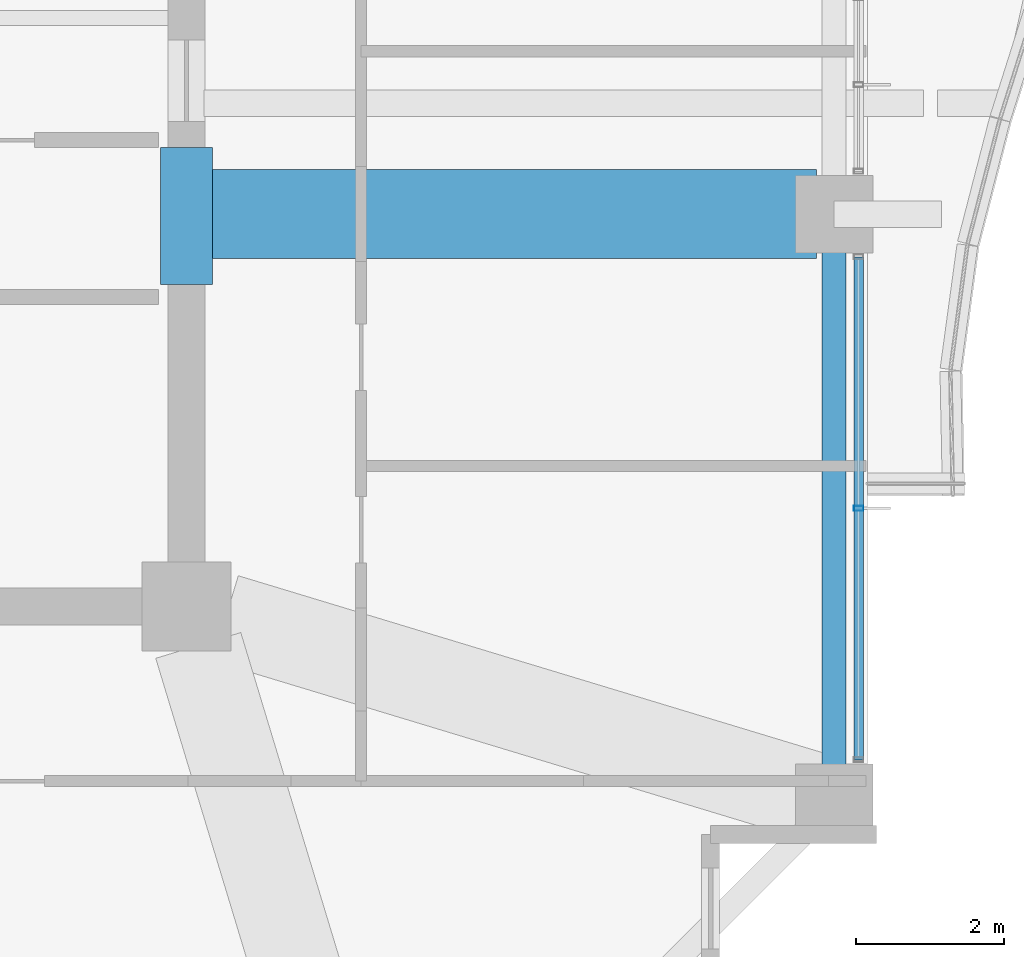
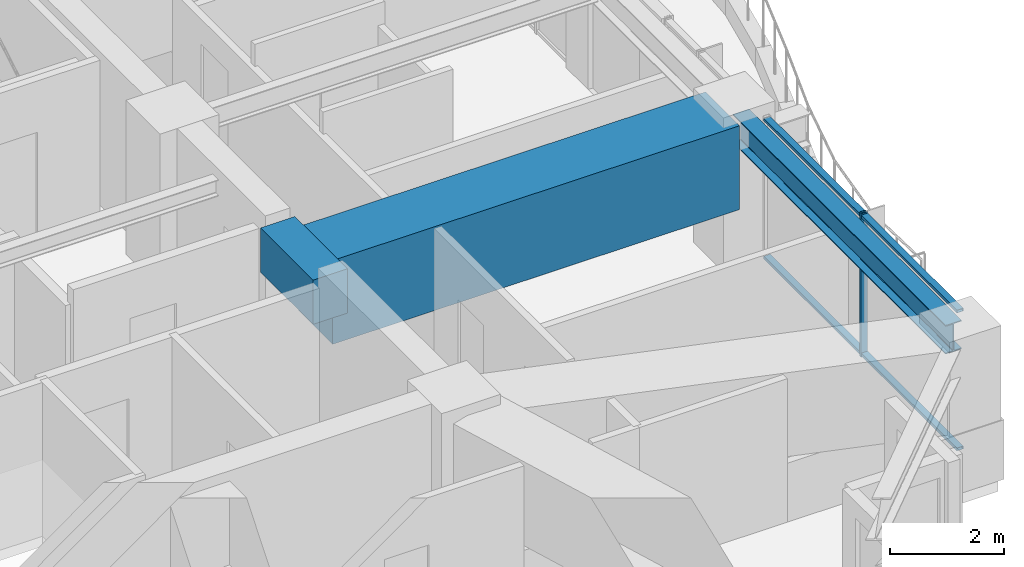
# One storey, part 15 of 36: 3 beams, 3 members, 1 element without a shape of its own.
"""IFC4 building model written with IfcOpenShell, lengths in metres."""

from ifc_helpers import new_model, si_unit, direction, frame, origin, origin_2d, place, context, subcontext, project, spatial, rectangle, hollow_rectangle, i_section, extrude, material, material_profile, profile_set, type_object, element, aggregate, save


model = new_model("IFC4")

# Units and contexts
model_context = context("Model", 3, precision=1e-05, world=origin(), true_north=direction((0.0, 1.0)))
body_context = subcontext(model_context, "Body", "Model", "MODEL_VIEW")
ifc_project = project(units=[si_unit("LENGTHUNIT", "METRE"), si_unit("AREAUNIT", "SQUARE_METRE"), si_unit("VOLUMEUNIT", "CUBIC_METRE"), si_unit("PLANEANGLEUNIT", "RADIAN"), si_unit("MASSUNIT", "GRAM", prefix="KILO")], contexts=[model_context])

# Site, building, storey
site_placement = place(None, origin())
site = spatial("IfcSite", under=ifc_project, at=site_placement, CompositionType="ELEMENT")
building_placement = place(site_placement, origin())
building = spatial("IfcBuilding", under=site, at=building_placement, Name="Kolvaren Belvedere", CompositionType="ELEMENT")
storey_placement = place(building_placement, frame((0.0, 0.0, 108.5)))
storey = spatial("IfcBuildingStorey", under=building, at=storey_placement, Name="L31", CompositionType="ELEMENT", Elevation=108.5)

# Beams
ifc_material_1 = material(Name="Concrete C60/75", Category="concrete")
ifc_material_profile_1 = material_profile(ifc_material_1, rectangle(XDim=0.699951171875, YDim=0.949951171875, at=origin_2d()), Name="RC 700X950")
ifc_profile_set_1 = profile_set([ifc_material_profile_1], Name="Concrete C60/75")
beam_type_1 = type_object("IfcBeamType", Name="BM-LINT-950", PredefinedType="LINTEL", material=ifc_profile_set_1)
beam_1_placement = place(storey_placement, frame((9.89990234375, -5.550048828125, 2.60498046875), z_axis=(0.0, 1.0, 0.0), x_axis=(-1.0, 0.0, 0.0)))
element("IfcBeam", 1, at=beam_1_placement, inside=storey, type_object=beam_type_1, Name="L31 East Core Coupling Lintel", PredefinedType="LINTEL", context=body_context, shape_type="SweptSolid", body=[
    extrude(rectangle(XDim=0.699951171875, YDim=0.949951171875, at=origin_2d()), origin(), (0.0, 0.0, 1.0), 1.85009765625),
])
ifc_material_2 = material(Name="Structural steel ASTM A992 Grade 50", Category="steel")
ifc_material_profile_2 = material_profile(ifc_material_2, i_section(OverallWidth=0.324951171875, OverallDepth=0.615966796875, WebThickness=0.013916015625, FlangeThickness=0.021484375, FilletRadius=0.02001953125, at=origin_2d()), Name="W24X117")
ifc_profile_set_2 = profile_set([ifc_material_profile_2], Name="Structural steel ASTM A992 Grade 50")
beam_type_2 = type_object("IfcBeamType", Name="BM-SPAN-W24X117", PredefinedType="SPANDREL", material=ifc_profile_set_2)
beam_2_placement = place(storey_placement, frame((18.64990234375, -12.313720703125, 2.77197265625), z_axis=(0.0, 1.0, 0.0), x_axis=(-1.0, 0.0, 0.0)))
element("IfcBeam", 2, at=beam_2_placement, inside=storey, type_object=beam_type_2, Name="L31 Perimeter Spandrel E1-E2", PredefinedType="SPANDREL", context=body_context, shape_type="SweptSolid", body=[
    extrude(i_section(OverallWidth=0.324951171875, OverallDepth=0.615966796875, WebThickness=0.013916015625, FlangeThickness=0.021484375, FilletRadius=0.02001953125, at=origin_2d()), origin(), (0.0, 0.0, 1.0), 7.4775390625),
])
ifc_material_3 = material(Name="Concrete C50/60", Category="concrete")
ifc_material_profile_3 = material_profile(ifc_material_3, rectangle(XDim=1.199951171875, YDim=1.800048828125, at=origin_2d()), Name="RC 1200X1800")
ifc_profile_set_3 = profile_set([ifc_material_profile_3], Name="Concrete C50/60")
beam_type_3 = type_object("IfcBeamType", Name="BM-TG-1800", PredefinedType="BEAM", material=ifc_profile_set_3)
beam_3_placement = place(storey_placement, frame((10.14990234375, -4.60009765625, 2.179931640625), z_axis=(1.0, 0.0, 0.0), x_axis=(0.0, 1.0, 0.0)))
element("IfcBeam", 3, at=beam_3_placement, inside=storey, type_object=beam_type_3, Name="L31 East Radial Girder M", PredefinedType="BEAM", context=body_context, shape_type="SweptSolid", body=[
    extrude(rectangle(XDim=1.199951171875, YDim=1.800048828125, at=origin_2d()), origin(), (0.0, 0.0, 1.0), 8.263916015625),
])

# Curtain wall, members
ifc_material_4 = material(Name="Anodised pale-metal aluminium AA 6063-T6", Category="aluminium")
curtain_wall_type = type_object("IfcCurtainWallType", Name="CW-Z3-WAIST", PredefinedType="NOTDEFINED", material=ifc_material_4)
curtain_wall_placement = place(storey_placement, origin())
curtain_wall = element("IfcCurtainWall", 4, at=curtain_wall_placement, inside=storey, type_object=curtain_wall_type, Name="L31 Unitised Curtain Wall FCW-L31-E2-B2", PredefinedType="NOTDEFINED")
ifc_material_5 = material(Name="Anodised pale-metal aluminium AA 6063-T6", Category="aluminium")
ifc_material_profile_4 = material_profile(ifc_material_5, hollow_rectangle(XDim=0.06494140625, YDim=0.1298828125, WallThickness=0.00390625, at=origin_2d()), Name="ALU-MUL-130X65")
ifc_profile_set_4 = profile_set([ifc_material_profile_4], Name="Anodised pale-metal aluminium AA 6063-T6")
member_type_1 = type_object("IfcMemberType", Name="CW-MUL-130", PredefinedType="MULLION", material=ifc_profile_set_4)
member_1_placement = place(storey_placement, frame((18.97998046875, -8.574951171875, 0.0), z_axis=(0.0, 0.0, 1.0), x_axis=(0.0, 1.0, 0.0)))
member_1 = element("IfcMember", 5, at=member_1_placement, type_object=member_type_1, Name="FCW-L31-E2-B2 Unitised Mullion 2", PredefinedType="MULLION", context=body_context, shape_type="SweptSolid", body=[
    extrude(hollow_rectangle(XDim=0.06494140625, YDim=0.1298828125, WallThickness=0.00390625, at=origin_2d()), origin(), (0.0, 0.0, 1.0), 3.080078125),
])
ifc_material_6 = material(Name="Anodised pale-metal aluminium AA 6063-T6", Category="aluminium")
ifc_material_profile_5 = material_profile(ifc_material_6, hollow_rectangle(XDim=0.06005859375, YDim=0.1298828125, WallThickness=0.00390625, at=origin_2d()), Name="ALU-TRN-130X60")
ifc_profile_set_5 = profile_set([ifc_material_profile_5], Name="Anodised pale-metal aluminium AA 6063-T6")
member_type_2 = type_object("IfcMemberType", Name="CW-TRN-130", PredefinedType="USERDEFINED", material=ifc_profile_set_5)
member_2_placement = place(storey_placement, frame((18.97998046875, -5.177490234375, 0.06005859375), z_axis=(0.0, -1.0, 0.0), x_axis=(0.0, 0.0, 1.0)))
member_2 = element("IfcMember", 6, at=member_2_placement, type_object=member_type_2, Name="FCW-L31-E2-B2 Sill Transom", ObjectType="TRANSOM", PredefinedType="USERDEFINED", context=body_context, shape_type="SweptSolid", body=[
    extrude(hollow_rectangle(XDim=0.06005859375, YDim=0.1298828125, WallThickness=0.00390625, at=origin_2d()), origin(), (0.0, 0.0, 1.0), 6.794921875),
])
member_3_placement = place(storey_placement, frame((18.97998046875, -5.177490234375, 3.02001953125), z_axis=(0.0, -1.0, 0.0), x_axis=(0.0, 0.0, 1.0)))
member_3 = element("IfcMember", 7, at=member_3_placement, type_object=member_type_2, Name="FCW-L31-E2-B2 Head Transom", ObjectType="TRANSOM", PredefinedType="USERDEFINED", context=body_context, shape_type="SweptSolid", body=[
    extrude(hollow_rectangle(XDim=0.06005859375, YDim=0.1298828125, WallThickness=0.00390625, at=origin_2d()), origin(), (0.0, 0.0, 1.0), 6.794921875),
])
aggregate(curtain_wall, [member_1, member_2, member_3])

save(model, "model.ifc")
